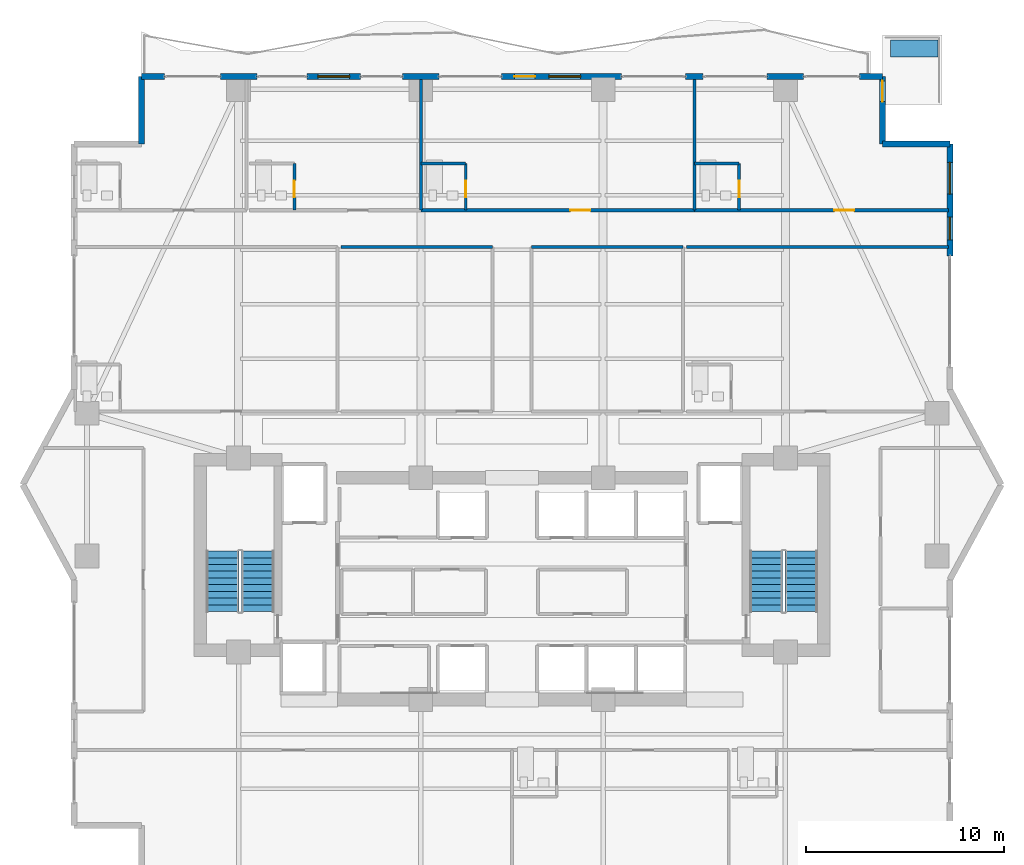
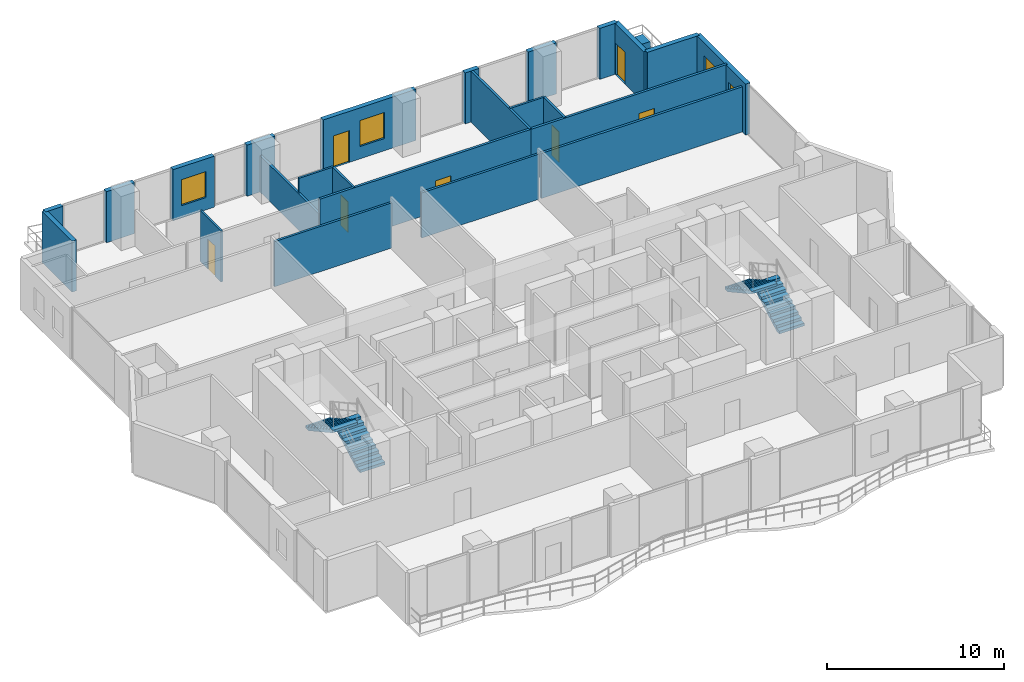
# One storey, part 28 of 32: 24 walls, 7 doors, 4 stair flights, 4 windows, 1 building element part, 11 openings, 2 elements without a shape of their own.
"""IFC4 building model written with IfcOpenShell, lengths in metres."""

from ifc_helpers import new_model, si_unit, direction, frame, frame_2d, origin, origin_2d, place, context, subcontext, project, spatial, polyline, rectangle, outline, extrude, material, layer, layer_set, type_object, element, fill, aggregate, save


model = new_model("IFC4")

# Units and contexts
model_context = context("Model", 3, precision=1e-05, world=origin(), true_north=direction((0.0, 1.0)))
body_context = subcontext(model_context, "Body", "Model", "MODEL_VIEW")
ifc_project = project(units=[si_unit("LENGTHUNIT", "METRE"), si_unit("AREAUNIT", "SQUARE_METRE"), si_unit("VOLUMEUNIT", "CUBIC_METRE"), si_unit("PLANEANGLEUNIT", "RADIAN"), si_unit("MASSUNIT", "GRAM", prefix="KILO")], contexts=[model_context])

# Site, building, storey
site_placement = place(None, origin())
site = spatial("IfcSite", under=ifc_project, at=site_placement, CompositionType="ELEMENT")
building_placement = place(site_placement, origin())
building = spatial("IfcBuilding", under=site, at=building_placement, Name="Zuhayl Quay Hotel", CompositionType="ELEMENT")
storey_placement = place(building_placement, frame((0.0, 0.0, 218.64990234375)))
storey = spatial("IfcBuildingStorey", under=building, at=storey_placement, Name="L55", CompositionType="ELEMENT", Elevation=218.64990234375)

# Walls
ifc_material_1 = material(Name="Precast concrete C45/55", Category="concrete")
ifc_layer_1 = layer(ifc_material_1, 0.300048828125, Name="Precast concrete C45/55", Category="concrete")
ifc_layer_set_1 = layer_set([ifc_layer_1], Name="Precast concrete C45/55")
wall_type_1 = type_object("IfcWallType", Name="WL_EXT_300", PredefinedType="STANDARD", material=ifc_layer_set_1)
wall_1_placement = place(storey_placement, frame((-18.699951171875, 30.199951171875, 0.0), z_axis=(0.0, 0.0, 1.0), x_axis=(0.0, 1.0, 0.0)))
element("IfcWall", 1, at=wall_1_placement, inside=storey, type_object=wall_type_1, Name="L55 Exterior Precast Wall ENV_L55_EW07", PredefinedType="STANDARD", context=body_context, shape_type="SweptSolid", body=[
    extrude(rectangle(XDim=3.400146484375, YDim=0.300048828125, at=frame_2d((1.7001953125, 0.0))), origin(), (0.0, 0.0, 1.0), 3.530029296875),
])
wall_2_placement = place(storey_placement, frame((-18.699951171875, 33.60009765625, 0.0), z_axis=(0.0, 0.0, 1.0), x_axis=(1.0, 0.0, 0.0)))
element("IfcWall", 2, at=wall_2_placement, inside=storey, type_object=wall_type_1, Name="L55 Exterior Precast Wall ENV_L55_N_EW1", PredefinedType="STANDARD", context=body_context, shape_type="SweptSolid", body=[
    extrude(rectangle(XDim=1.14990234375, YDim=0.300048828125, at=frame_2d((0.574951171875, 0.0))), origin(), (0.0, 0.0, 1.0), 3.530029296875),
])
wall_3_placement = place(storey_placement, frame((-14.719970703125, 33.60009765625, 0.0), z_axis=(0.0, 0.0, 1.0), x_axis=(1.0, 0.0, 0.0)))
element("IfcWall", 3, at=wall_3_placement, inside=storey, type_object=wall_type_1, Name="L55 Exterior Precast Wall ENV_L55_N_EW2", PredefinedType="STANDARD", context=body_context, shape_type="SweptSolid", body=[
    extrude(rectangle(XDim=1.840087890625, YDim=0.300048828125, at=frame_2d((0.919921875, 0.0))), origin(), (0.0, 0.0, 1.0), 3.530029296875),
])

# Wall, opening, window
wall_4_placement = place(storey_placement, frame((-10.35009765625, 33.60009765625, 0.0), z_axis=(0.0, 0.0, 1.0), x_axis=(1.0, 0.0, 0.0)))
wall_4 = element("IfcWall", 4, at=wall_4_placement, inside=storey, type_object=wall_type_1, Name="L55 Exterior Precast Wall ENV_L55_N_EW3", PredefinedType="STANDARD", context=body_context, shape_type="SweptSolid", body=[
    extrude(rectangle(XDim=2.7001953125, YDim=0.300048828125, at=frame_2d((1.35009765625, 0.0))), origin(), (0.0, 0.0, 1.0), 3.530029296875),
])
opening_1_placement = place(wall_4_placement, frame((0.550048828125, 0.0, 0.85009765625)))
opening_1 = element("IfcOpeningElement", 5, at=opening_1_placement, cuts=wall_4, Name="Opening W01", PredefinedType="OPENING", context=body_context, shape_type="SweptSolid", body=[
    extrude(rectangle(XDim=1.60009765625, YDim=1.800048828125, at=frame_2d((0.800048828125, 0.89990234375))), frame((0.0, 0.159912109375, 0.0), z_axis=(0.0, -1.0, 0.0), x_axis=(1.0, 0.0, 0.0)), (0.0, 0.0, 1.0), 0.320068359375),
])
ifc_material_2 = material(Name="Dark Ceramic-Fritted Solar Glass", Category="glass")
window_type_1 = type_object("IfcWindowType", Name="WN_OPERABLE_1600", PartitioningType="DOUBLE_PANEL_VERTICAL", PredefinedType="WINDOW", material=ifc_material_2)
window_1_placement = place(opening_1_placement, origin())
window_1 = element("IfcWindow", 6, at=window_1_placement, inside=storey, type_object=window_type_1, Name="L55 North Operable Casement Window", OverallHeight=1.800048828125, OverallWidth=1.60009765625, PartitioningType="SINGLE_PANEL", PredefinedType="WINDOW", context=body_context, shape_type="SweptSolid", body=[
    extrude(rectangle(XDim=1.60009765625, YDim=1.800048828125, at=frame_2d((0.800048828125, 0.89990234375))), frame((0.0, 0.030029296875, 0.0), z_axis=(0.0, -1.0, 0.0), x_axis=(1.0, 0.0, 0.0)), (0.0, 0.0, 1.0), 0.06005859375),
])
fill(opening_1, window_1)

# Wall
wall_5_placement = place(storey_placement, frame((-5.52001953125, 33.60009765625, 0.0), z_axis=(0.0, 0.0, 1.0), x_axis=(1.0, 0.0, 0.0)))
element("IfcWall", 7, at=wall_5_placement, inside=storey, type_object=wall_type_1, Name="L55 Exterior Precast Wall ENV_L55_N_EW4", PredefinedType="STANDARD", context=body_context, shape_type="SweptSolid", body=[
    extrude(rectangle(XDim=1.840087890625, YDim=0.300048828125, at=frame_2d((0.919921875, 0.0))), origin(), (0.0, 0.0, 1.0), 3.530029296875),
])

# Wall, openings, door, window
wall_6_placement = place(storey_placement, frame((-0.531005859375, 33.60009765625, 0.0), z_axis=(0.0, 0.0, 1.0), x_axis=(1.0, 0.0, 0.0)))
wall_6 = element("IfcWall", 8, at=wall_6_placement, inside=storey, type_object=wall_type_1, Name="L55 Exterior Precast Wall ENV_L55_N_EW5", PredefinedType="STANDARD", context=body_context, shape_type="SweptSolid", body=[
    extrude(rectangle(XDim=6.051025390625, YDim=0.300048828125, at=frame_2d((3.025390625, 0.0))), origin(), (0.0, 0.0, 1.0), 3.530029296875),
])
opening_2_placement = place(wall_6_placement, frame((0.64990234375, 0.0, 0.0)))
opening_2 = element("IfcOpeningElement", 9, at=opening_2_placement, cuts=wall_6, Name="Opening DG1", PredefinedType="OPENING", context=body_context, shape_type="SweptSolid", body=[
    extrude(rectangle(XDim=1.050048828125, YDim=2.199951171875, at=frame_2d((0.52490234375, 1.10009765625))), frame((0.0, 0.159912109375, 0.0), z_axis=(0.0, -1.0, 0.0), x_axis=(1.0, 0.0, 0.0)), (0.0, 0.0, 1.0), 0.320068359375),
])
opening_3_placement = place(wall_6_placement, frame((2.390380859375, 0.0, 0.85009765625)))
opening_3 = element("IfcOpeningElement", 10, at=opening_3_placement, cuts=wall_6, Name="Opening W01", PredefinedType="OPENING", context=body_context, shape_type="SweptSolid", body=[
    extrude(rectangle(XDim=1.60009765625, YDim=1.800048828125, at=frame_2d((0.800048828125, 0.89990234375))), frame((0.0, 0.159912109375, 0.0), z_axis=(0.0, -1.0, 0.0), x_axis=(1.0, 0.0, 0.0)), (0.0, 0.0, 1.0), 0.320068359375),
])
ifc_material_3 = material(Name="Anodised Aluminium and Dark Solar Glass", Category="aluminium")
door_type_1 = type_object("IfcDoorType", Name="DR_EXT_TERR_1050", OperationType="NOTDEFINED", PredefinedType="DOOR", material=ifc_material_3)
door_1_placement = place(opening_2_placement, origin())
door_1 = element("IfcDoor", 11, at=door_1_placement, inside=storey, type_object=door_type_1, Name="L55 North Rippling Balcony Door", OperationType="SINGLE_SWING_LEFT", OverallHeight=2.199951171875, OverallWidth=1.050048828125, PredefinedType="DOOR", context=body_context, shape_type="SweptSolid", body=[
    extrude(rectangle(XDim=1.050048828125, YDim=2.199951171875, at=frame_2d((0.52490234375, 1.10009765625))), frame((0.0, 0.02490234375, 0.0), z_axis=(0.0, -1.0, 0.0), x_axis=(1.0, 0.0, 0.0)), (0.0, 0.0, 1.0), 0.050048828125),
])
fill(opening_2, door_1)
window_2_placement = place(opening_3_placement, origin())
window_2 = element("IfcWindow", 12, at=window_2_placement, inside=storey, type_object=window_type_1, Name="L55 Operable Facade Window 5-1", OverallHeight=1.800048828125, OverallWidth=1.60009765625, PartitioningType="SINGLE_PANEL", PredefinedType="WINDOW", context=body_context, shape_type="SweptSolid", body=[
    extrude(rectangle(XDim=1.60009765625, YDim=1.800048828125, at=frame_2d((0.800048828125, 0.89990234375))), frame((0.0, 0.030029296875, 0.0), z_axis=(0.0, -1.0, 0.0), x_axis=(1.0, 0.0, 0.0)), (0.0, 0.0, 1.0), 0.06005859375),
])
fill(opening_3, window_2)

# Walls
wall_7_placement = place(storey_placement, frame((8.75, 33.60009765625, 0.0), z_axis=(0.0, 0.0, 1.0), x_axis=(1.0, 0.0, 0.0)))
element("IfcWall", 13, at=wall_7_placement, inside=storey, type_object=wall_type_1, Name="L55 Exterior Precast Wall ENV_L55_N_EW6", PredefinedType="STANDARD", context=body_context, shape_type="SweptSolid", body=[
    extrude(rectangle(XDim=0.89990234375, YDim=0.300048828125, at=frame_2d((0.449951171875, 0.0))), origin(), (0.0, 0.0, 1.0), 3.530029296875),
])
wall_8_placement = place(storey_placement, frame((12.8798828125, 33.60009765625, 0.0), z_axis=(0.0, 0.0, 1.0), x_axis=(1.0, 0.0, 0.0)))
element("IfcWall", 14, at=wall_8_placement, inside=storey, type_object=wall_type_1, Name="L55 Exterior Precast Wall ENV_L55_N_EW7", PredefinedType="STANDARD", context=body_context, shape_type="SweptSolid", body=[
    extrude(rectangle(XDim=1.840087890625, YDim=0.300048828125, at=frame_2d((0.919921875, 0.0))), origin(), (0.0, 0.0, 1.0), 3.530029296875),
])
wall_9_placement = place(storey_placement, frame((17.550048828125, 33.60009765625, 0.0), z_axis=(0.0, 0.0, 1.0), x_axis=(1.0, 0.0, 0.0)))
element("IfcWall", 15, at=wall_9_placement, inside=storey, type_object=wall_type_1, Name="L55 Exterior Precast Wall ENV_L55_N_EW8", PredefinedType="STANDARD", context=body_context, shape_type="SweptSolid", body=[
    extrude(rectangle(XDim=1.14990234375, YDim=0.300048828125, at=frame_2d((0.574951171875, 0.0))), origin(), (0.0, 0.0, 1.0), 3.530029296875),
])

# Wall, opening, door
wall_10_placement = place(storey_placement, frame((18.699951171875, 33.60009765625, 0.0), z_axis=(0.0, 0.0, 1.0), x_axis=(0.0, -1.0, 0.0)))
wall_10 = element("IfcWall", 16, at=wall_10_placement, inside=storey, type_object=wall_type_1, Name="L55 Exterior Precast Wall ENV_L55_SP_NE", PredefinedType="STANDARD", context=body_context, shape_type="SweptSolid", body=[
    extrude(rectangle(XDim=3.400146484375, YDim=0.300048828125, at=frame_2d((1.7001953125, 0.0))), origin(), (0.0, 0.0, 1.0), 3.530029296875),
])
opening_4_placement = place(wall_10_placement, frame((0.219970703125, 0.0, 0.0)))
opening_4 = element("IfcOpeningElement", 17, at=opening_4_placement, cuts=wall_10, Name="Opening DG1", PredefinedType="OPENING", context=body_context, shape_type="SweptSolid", body=[
    extrude(rectangle(XDim=1.050048828125, YDim=2.199951171875, at=frame_2d((0.52490234375, 1.10009765625))), frame((0.0, 0.159912109375, 0.0), z_axis=(0.0, -1.0, 0.0), x_axis=(1.0, 0.0, 0.0)), (0.0, 0.0, 1.0), 0.320068359375),
])
door_2_placement = place(opening_4_placement, origin())
door_2 = element("IfcDoor", 18, at=door_2_placement, inside=storey, type_object=door_type_1, Name="L55 Spiral Sky-Terrace NE Access Door", OperationType="SINGLE_SWING_LEFT", OverallHeight=2.199951171875, OverallWidth=1.050048828125, PredefinedType="DOOR", context=body_context, shape_type="SweptSolid", body=[
    extrude(rectangle(XDim=1.050048828125, YDim=2.199951171875, at=frame_2d((0.52490234375, 1.10009765625))), frame((0.0, 0.02490234375, 0.0), z_axis=(0.0, -1.0, 0.0), x_axis=(1.0, 0.0, 0.0)), (0.0, 0.0, 1.0), 0.050048828125),
])
fill(opening_4, door_2)

# Wall
wall_11_placement = place(storey_placement, frame((18.699951171875, 30.199951171875, 0.0), z_axis=(0.0, 0.0, 1.0), x_axis=(1.0, 0.0, 0.0)))
element("IfcWall", 19, at=wall_11_placement, inside=storey, type_object=wall_type_1, Name="L55 Exterior Precast Wall ENV_L55_EW10", PredefinedType="STANDARD", context=body_context, shape_type="SweptSolid", body=[
    extrude(rectangle(XDim=3.400146484375, YDim=0.300048828125, at=frame_2d((1.7001953125, 0.0))), origin(), (0.0, 0.0, 1.0), 3.530029296875),
])

# Wall, openings, windows
wall_12_placement = place(storey_placement, frame((22.10009765625, 30.199951171875, 0.0), z_axis=(0.0, 0.0, 1.0), x_axis=(0.0, -1.0, 0.0)))
wall_12 = element("IfcWall", 20, at=wall_12_placement, inside=storey, type_object=wall_type_1, Name="L55 Exterior Precast Wall ENV_L55_E11_EW1", PredefinedType="STANDARD", context=body_context, shape_type="SweptSolid", body=[
    extrude(rectangle(XDim=5.64990234375, YDim=0.300048828125, at=frame_2d((2.824951171875, 0.0))), origin(), (0.0, 0.0, 1.0), 3.530029296875),
])
opening_5_placement = place(wall_12_placement, frame((0.93505859375, 0.0, 0.85009765625)))
opening_5 = element("IfcOpeningElement", 21, at=opening_5_placement, cuts=wall_12, Name="Opening W01", PredefinedType="OPENING", context=body_context, shape_type="SweptSolid", body=[
    extrude(rectangle(XDim=1.60009765625, YDim=1.800048828125, at=frame_2d((0.800048828125, 0.89990234375))), frame((0.0, 0.159912109375, 0.0), z_axis=(0.0, -1.0, 0.0), x_axis=(1.0, 0.0, 0.0)), (0.0, 0.0, 1.0), 0.320068359375),
])
opening_6_placement = place(wall_12_placement, frame((3.699951171875, 0.0, 0.949951171875)))
opening_6 = element("IfcOpeningElement", 22, at=opening_6_placement, cuts=wall_12, Name="Opening W01N", PredefinedType="OPENING", context=body_context, shape_type="SweptSolid", body=[
    extrude(rectangle(XDim=1.14990234375, YDim=1.550048828125, at=frame_2d((0.574951171875, 0.77490234375))), frame((0.0, 0.159912109375, 0.0), z_axis=(0.0, -1.0, 0.0), x_axis=(1.0, 0.0, 0.0)), (0.0, 0.0, 1.0), 0.320068359375),
])
window_type_2 = type_object("IfcWindowType", Name="WN_NOTCH_1350", PartitioningType="SINGLE_PANEL", PredefinedType="WINDOW", material=ifc_material_2)
window_3_placement = place(opening_6_placement, origin())
window_3 = element("IfcWindow", 23, at=window_3_placement, inside=storey, type_object=window_type_2, Name="L55 Operable Facade Window 1-2", OverallHeight=1.550048828125, OverallWidth=1.14990234375, PartitioningType="SINGLE_PANEL", PredefinedType="WINDOW", context=body_context, shape_type="SweptSolid", body=[
    extrude(rectangle(XDim=1.14990234375, YDim=1.550048828125, at=frame_2d((0.574951171875, 0.77490234375))), frame((0.0, 0.030029296875, 0.0), z_axis=(0.0, -1.0, 0.0), x_axis=(1.0, 0.0, 0.0)), (0.0, 0.0, 1.0), 0.06005859375),
])
fill(opening_6, window_3)
window_4_placement = place(opening_5_placement, origin())
window_4 = element("IfcWindow", 24, at=window_4_placement, inside=storey, type_object=window_type_1, Name="L55 Operable Facade Window 1-1", OverallHeight=1.800048828125, OverallWidth=1.60009765625, PartitioningType="SINGLE_PANEL", PredefinedType="WINDOW", context=body_context, shape_type="SweptSolid", body=[
    extrude(rectangle(XDim=1.60009765625, YDim=1.800048828125, at=frame_2d((0.800048828125, 0.89990234375))), frame((0.0, 0.030029296875, 0.0), z_axis=(0.0, -1.0, 0.0), x_axis=(1.0, 0.0, 0.0)), (0.0, 0.0, 1.0), 0.06005859375),
])
fill(opening_5, window_4)

# Walls
ifc_material_4 = material(Name="Acoustic Gypsum Partition STC-58")
ifc_layer_2 = layer(ifc_material_4, 0.14990234375, Name="Acoustic Gypsum Partition STC-58")
ifc_layer_set_2 = layer_set([ifc_layer_2], Name="Acoustic Gypsum Partition STC-58")
wall_type_2 = type_object("IfcWallType", Name="WL_PART_150", PredefinedType="PARTITIONING", material=ifc_layer_set_2)
wall_13_placement = place(storey_placement, frame((-4.60009765625, 26.85009765625, 0.0), z_axis=(0.0, 0.0, 1.0), x_axis=(0.0, 1.0, 0.0)))
element("IfcWall", 25, at=wall_13_placement, inside=storey, type_object=wall_type_2, Name="L55 Partition IW_L55_NU01B_E", PredefinedType="PARTITIONING", context=body_context, shape_type="SweptSolid", body=[
    extrude(rectangle(XDim=6.669921875, YDim=0.14990234375, at=frame_2d((3.3349609375, 0.0))), origin(), (0.0, 0.0, 1.0), 2.51904296875),
])
wall_14_placement = place(storey_placement, frame((9.199951171875, 26.85009765625, 0.0), z_axis=(0.0, 0.0, 1.0), x_axis=(0.0, 1.0, 0.0)))
element("IfcWall", 26, at=wall_14_placement, inside=storey, type_object=wall_type_2, Name="L55 Partition IW_L55_NU02_E", PredefinedType="PARTITIONING", context=body_context, shape_type="SweptSolid", body=[
    extrude(rectangle(XDim=6.669921875, YDim=0.14990234375, at=frame_2d((3.3349609375, 0.0))), origin(), (0.0, 0.0, 1.0), 3.530029296875),
])
for number, where, z_axis, x_axis, name in (
    (27, (-8.639892578125, 25.0, 0.0), (0.0, 0.0, 1.0), (1.0, 0.0, 0.0), "L55 Partition IW_L55_Z3_MID_W_N"),
    (28, (0.97998046875, 25.0, 0.0), (0.0, 0.0, 1.0), (1.0, 0.0, 0.0), "L55 Partition IW_L55_Z3_MID_E_N"),
):
    element("IfcWall", number, at=place(storey_placement, frame(where, z_axis=z_axis, x_axis=x_axis)), inside=storey, type_object=wall_type_2, Name=name, PredefinedType="PARTITIONING", context=body_context, shape_type="SweptSolid", body=[
        extrude(rectangle(XDim=7.659912109375, YDim=0.14990234375, at=frame_2d((3.830078125, 0.0))), origin(), (0.0, 0.0, 1.0), 3.1240234375),
    ])

# Wall, opening, door
ifc_layer_3 = layer(ifc_material_4, 0.159912109375, Name="Acoustic Gypsum Partition STC-58")
ifc_layer_set_3 = layer_set([ifc_layer_3], Name="Acoustic Gypsum Partition STC-58")
wall_type_3 = type_object("IfcWallType", Name="WL_PART_CORR_160", PredefinedType="PARTITIONING", material=ifc_layer_set_3)
wall_15_placement = place(storey_placement, frame((-4.60009765625, 26.85009765625, 0.0), z_axis=(0.0, 0.0, 1.0), x_axis=(1.0, 0.0, 0.0)))
wall_15 = element("IfcWall", 29, at=wall_15_placement, inside=storey, type_object=wall_type_3, Name="L55 Partition IW_L55_NU02_COR", PredefinedType="PARTITIONING", context=body_context, shape_type="SweptSolid", body=[
    extrude(rectangle(XDim=13.800048828125, YDim=0.159912109375, at=frame_2d((6.89990234375, 0.0))), origin(), (0.0, 0.0, 1.0), 3.530029296875),
])
opening_7_placement = place(wall_15_placement, frame((7.550048828125, 0.0, 0.0)))
opening_7 = element("IfcOpeningElement", 30, at=opening_7_placement, cuts=wall_15, Name="Opening D03L", PredefinedType="OPENING", context=body_context, shape_type="SweptSolid", body=[
    extrude(rectangle(XDim=1.0, YDim=2.14990234375, at=frame_2d((0.5, 1.074951171875))), frame((0.0, 0.08984375, 0.0), z_axis=(0.0, -1.0, 0.0), x_axis=(1.0, 0.0, 0.0)), (0.0, 0.0, 1.0), 0.179931640625),
])
ifc_material_5 = material(Name="Solid Walnut Acoustic Fire Door")
door_type_2 = type_object("IfcDoorType", Name="DR_SUITE_1000", OperationType="NOTDEFINED", PredefinedType="DOOR", material=ifc_material_5)
door_3_placement = place(opening_7_placement, origin())
door_3 = element("IfcDoor", 31, at=door_3_placement, inside=storey, type_object=door_type_2, Name="L55 Panoramic Gulf Suite L55-02 Entrance Door", OperationType="SINGLE_SWING_LEFT", OverallHeight=2.14990234375, OverallWidth=1.0, PredefinedType="DOOR", context=body_context, shape_type="SweptSolid", body=[
    extrude(rectangle(XDim=1.0, YDim=2.14990234375, at=frame_2d((0.5, 1.074951171875))), frame((0.0, 0.02490234375, 0.0), z_axis=(0.0, -1.0, 0.0), x_axis=(1.0, 0.0, 0.0)), (0.0, 0.0, 1.0), 0.050048828125),
])
fill(opening_7, door_3)

wall_16_placement = place(storey_placement, frame((9.199951171875, 26.85009765625, 0.0), z_axis=(0.0, 0.0, 1.0), x_axis=(1.0, 0.0, 0.0)))
wall_16 = element("IfcWall", 32, at=wall_16_placement, inside=storey, type_object=wall_type_3, Name="L55 Partition IW_L55_NU03_COR", PredefinedType="PARTITIONING", context=body_context, shape_type="SweptSolid", body=[
    extrude(rectangle(XDim=12.840087890625, YDim=0.159912109375, at=frame_2d((6.419921875, 0.0))), origin(), (0.0, 0.0, 1.0), 3.530029296875),
])
opening_8_placement = place(wall_16_placement, frame((7.070068359375, 0.0, 0.0)))
opening_8 = element("IfcOpeningElement", 33, at=opening_8_placement, cuts=wall_16, Name="Opening D03L", PredefinedType="OPENING", context=body_context, shape_type="SweptSolid", body=[
    extrude(rectangle(XDim=1.0, YDim=2.14990234375, at=frame_2d((0.5, 1.074951171875))), frame((0.0, 0.08984375, 0.0), z_axis=(0.0, -1.0, 0.0), x_axis=(1.0, 0.0, 0.0)), (0.0, 0.0, 1.0), 0.179931640625),
])
door_4_placement = place(opening_8_placement, origin())
door_4 = element("IfcDoor", 34, at=door_4_placement, inside=storey, type_object=door_type_2, Name="L55 Panoramic Gulf Suite L55-03 Entrance Door", OperationType="SINGLE_SWING_LEFT", OverallHeight=2.14990234375, OverallWidth=1.0, PredefinedType="DOOR", context=body_context, shape_type="SweptSolid", body=[
    extrude(rectangle(XDim=1.0, YDim=2.14990234375, at=frame_2d((0.5, 1.074951171875))), frame((0.0, 0.02490234375, 0.0), z_axis=(0.0, -1.0, 0.0), x_axis=(1.0, 0.0, 0.0)), (0.0, 0.0, 1.0), 0.050048828125),
])
fill(opening_8, door_4)

# Wall
wall_17_placement = place(storey_placement, frame((8.800048828125, 25.0, 0.0), z_axis=(0.0, 0.0, 1.0), x_axis=(1.0, 0.0, 0.0)))
element("IfcWall", 35, at=wall_17_placement, inside=storey, type_object=wall_type_3, Name="L55 Partition IW_L55_MU04_BK", PredefinedType="PARTITIONING", context=body_context, shape_type="SweptSolid", body=[
    extrude(rectangle(XDim=13.239990234375, YDim=0.159912109375, at=frame_2d((6.6201171875, 0.0))), origin(), (0.0, 0.0, 1.0), 3.1240234375),
])

# Wall, opening, door
ifc_material_6 = material(Name="Moisture-Resistant Sanitarychase Gypsum")
ifc_layer_4 = layer(ifc_material_6, 0.135009765625, Name="Moisture-Resistant Sanitarychase Gypsum")
ifc_layer_set_4 = layer_set([ifc_layer_4], Name="Moisture-Resistant Sanitarychase Gypsum")
wall_type_4 = type_object("IfcWallType", Name="WL_PART_PLUMB_150", PredefinedType="PLUMBINGWALL", material=ifc_layer_set_4)
wall_18_placement = place(storey_placement, frame((-10.97998046875, 26.85009765625, 0.0), z_axis=(0.0, 0.0, 1.0), x_axis=(0.0, 1.0, 0.0)))
wall_18 = element("IfcWall", 36, at=wall_18_placement, inside=storey, type_object=wall_type_4, Name="L55 Partition IW_L55_NU01B_BE", PredefinedType="PLUMBINGWALL", context=body_context, shape_type="SweptSolid", body=[
    extrude(rectangle(XDim=2.35986328125, YDim=0.135009765625, at=frame_2d((1.179931640625, 0.0))), origin(), (0.0, 0.0, 1.0), 3.530029296875),
])
opening_9_placement = place(wall_18_placement, frame((0.64990234375, 0.0, 0.0)))
opening_9 = element("IfcOpeningElement", 37, at=opening_9_placement, cuts=wall_18, Name="Opening D04", PredefinedType="OPENING", context=body_context, shape_type="SweptSolid", body=[
    extrude(rectangle(XDim=0.85009765625, YDim=2.10009765625, at=frame_2d((0.425048828125, 1.050048828125))), frame((0.0, 0.077392578125, 0.0), z_axis=(0.0, -1.0, 0.0), x_axis=(1.0, 0.0, 0.0)), (0.0, 0.0, 1.0), 0.155029296875),
])
ifc_material_7 = material(Name="Moisture-Resistant Walnut Veneer")
door_type_3 = type_object("IfcDoorType", Name="DR_BATH_850", OperationType="NOTDEFINED", PredefinedType="DOOR", material=ifc_material_7)
door_5_placement = place(opening_9_placement, origin())
door_5 = element("IfcDoor", 38, at=door_5_placement, inside=storey, type_object=door_type_3, Name="L55 Panoramic Gulf Suite L55-01B En-Suite Door", OperationType="SINGLE_SWING_RIGHT", OverallHeight=2.10009765625, OverallWidth=0.85009765625, PredefinedType="DOOR", context=body_context, shape_type="SweptSolid", body=[
    extrude(rectangle(XDim=0.85009765625, YDim=2.10009765625, at=frame_2d((0.425048828125, 1.050048828125))), frame((0.0, 0.02490234375, 0.0), z_axis=(0.0, -1.0, 0.0), x_axis=(1.0, 0.0, 0.0)), (0.0, 0.0, 1.0), 0.050048828125),
])
fill(opening_9, door_5)

wall_19_placement = place(storey_placement, frame((-2.340087890625, 26.85009765625, 0.0), z_axis=(0.0, 0.0, 1.0), x_axis=(0.0, 1.0, 0.0)))
wall_19 = element("IfcWall", 39, at=wall_19_placement, inside=storey, type_object=wall_type_4, Name="L55 Partition IW_L55_NU02_BE", PredefinedType="PLUMBINGWALL", context=body_context, shape_type="SweptSolid", body=[
    extrude(rectangle(XDim=2.35986328125, YDim=0.135009765625, at=frame_2d((1.179931640625, 0.0))), origin(), (0.0, 0.0, 1.0), 3.530029296875),
])
opening_10_placement = place(wall_19_placement, frame((0.64990234375, 0.0, 0.0)))
opening_10 = element("IfcOpeningElement", 40, at=opening_10_placement, cuts=wall_19, Name="Opening D04", PredefinedType="OPENING", context=body_context, shape_type="SweptSolid", body=[
    extrude(rectangle(XDim=0.85009765625, YDim=2.10009765625, at=frame_2d((0.425048828125, 1.050048828125))), frame((0.0, 0.077392578125, 0.0), z_axis=(0.0, -1.0, 0.0), x_axis=(1.0, 0.0, 0.0)), (0.0, 0.0, 1.0), 0.155029296875),
])
door_6_placement = place(opening_10_placement, origin())
door_6 = element("IfcDoor", 41, at=door_6_placement, inside=storey, type_object=door_type_3, Name="L55 Panoramic Gulf Suite L55-02 En-Suite Door", OperationType="SINGLE_SWING_RIGHT", OverallHeight=2.10009765625, OverallWidth=0.85009765625, PredefinedType="DOOR", context=body_context, shape_type="SweptSolid", body=[
    extrude(rectangle(XDim=0.85009765625, YDim=2.10009765625, at=frame_2d((0.425048828125, 1.050048828125))), frame((0.0, 0.02490234375, 0.0), z_axis=(0.0, -1.0, 0.0), x_axis=(1.0, 0.0, 0.0)), (0.0, 0.0, 1.0), 0.050048828125),
])
fill(opening_10, door_6)

wall_20_placement = place(storey_placement, frame((11.4599609375, 26.85009765625, 0.0), z_axis=(0.0, 0.0, 1.0), x_axis=(0.0, 1.0, 0.0)))
wall_20 = element("IfcWall", 42, at=wall_20_placement, inside=storey, type_object=wall_type_4, Name="L55 Partition IW_L55_NU03_BE", PredefinedType="PLUMBINGWALL", context=body_context, shape_type="SweptSolid", body=[
    extrude(rectangle(XDim=2.35986328125, YDim=0.135009765625, at=frame_2d((1.179931640625, 0.0))), origin(), (0.0, 0.0, 1.0), 3.530029296875),
])
opening_11_placement = place(wall_20_placement, frame((0.64990234375, 0.0, 0.0)))
opening_11 = element("IfcOpeningElement", 43, at=opening_11_placement, cuts=wall_20, Name="Opening D04", PredefinedType="OPENING", context=body_context, shape_type="SweptSolid", body=[
    extrude(rectangle(XDim=0.85009765625, YDim=2.10009765625, at=frame_2d((0.425048828125, 1.050048828125))), frame((0.0, 0.077392578125, 0.0), z_axis=(0.0, -1.0, 0.0), x_axis=(1.0, 0.0, 0.0)), (0.0, 0.0, 1.0), 0.155029296875),
])
door_7_placement = place(opening_11_placement, origin())
door_7 = element("IfcDoor", 44, at=door_7_placement, inside=storey, type_object=door_type_3, Name="L55 Panoramic Gulf Suite L55-03 En-Suite Door", OperationType="SINGLE_SWING_RIGHT", OverallHeight=2.10009765625, OverallWidth=0.85009765625, PredefinedType="DOOR", context=body_context, shape_type="SweptSolid", body=[
    extrude(rectangle(XDim=0.85009765625, YDim=2.10009765625, at=frame_2d((0.425048828125, 1.050048828125))), frame((0.0, 0.02490234375, 0.0), z_axis=(0.0, -1.0, 0.0), x_axis=(1.0, 0.0, 0.0)), (0.0, 0.0, 1.0), 0.050048828125),
])
fill(opening_11, door_7)

# Walls
for number, where, z_axis, x_axis, name in (
    (45, (-4.60009765625, 29.2099609375, 0.0), (0.0, 0.0, 1.0), (1.0, 0.0, 0.0), "L55 Partition IW_L55_NU02_BN"),
    (46, (9.199951171875, 29.2099609375, 0.0), (0.0, 0.0, 1.0), (1.0, 0.0, 0.0), "L55 Partition IW_L55_NU03_BN"),
):
    element("IfcWall", number, at=place(storey_placement, frame(where, z_axis=z_axis, x_axis=x_axis)), inside=storey, type_object=wall_type_4, Name=name, PredefinedType="PLUMBINGWALL", context=body_context, shape_type="SweptSolid", body=[
        extrude(rectangle(XDim=2.260009765625, YDim=0.135009765625, at=frame_2d((1.1298828125, 0.0))), origin(), (0.0, 0.0, 1.0), 3.530029296875),
    ])

# Stair, stair flights
ifc_material_8 = material(Name="Concrete C45/55", Category="concrete")
stair_type = type_object("IfcStairType", Name="ST_DOGLEG_TOWER", PredefinedType="HALF_TURN_STAIR", material=ifc_material_8)
stair_1_placement = place(storey_placement, origin())
stair_1 = element("IfcStair", 47, at=stair_1_placement, inside=storey, type_object=stair_type, Name="L55 Smokeproof Exit Stair ST1", PredefinedType="HALF_TURN_STAIR")
ifc_layer_5 = layer(ifc_material_8, 0.159912109375, Name="Concrete C45/55", Category="concrete")
ifc_layer_set_5 = layer_set([ifc_layer_5], Name="Concrete C45/55")
stair_flight_type = type_object("IfcStairFlightType", Name="SF_CONC_164", PredefinedType="STRAIGHT", material=ifc_layer_set_5)
stair_flight_1_placement = place(storey_placement, frame((-12.820068359375, 6.590087890625, 0.0), z_axis=(0.0, 0.0, 1.0), x_axis=(0.0, 1.0, 0.0)))
stair_flight_1 = element("IfcStairFlight", 48, at=stair_flight_1_placement, type_object=stair_flight_type, Name="ST1 flight 1", NumberOfRisers=10, NumberOfTreads=9, PredefinedType="STRAIGHT", RiserHeight=0.1875, TreadLength=0.34, context=body_context, shape_type="SweptSolid", body=[
    extrude(outline(polyline([(0.0, 0.0), (0.0, 0.1875), (0.340087890625, 0.1875), (0.340087890625, 0.375), (0.679931640625, 0.375), (0.679931640625, 0.5625), (1.02001953125, 0.5625), (1.02001953125, 0.75), (1.360107421875, 0.75), (1.360107421875, 0.9375), (1.699951171875, 0.9375), (1.699951171875, 1.125), (2.0400390625, 1.125), (2.0400390625, 1.3125), (2.3798828125, 1.3125), (2.3798828125, 1.5), (2.719970703125, 1.5), (2.719970703125, 1.6875), (3.06005859375, 1.6875), (3.06005859375, 1.875), (3.06005859375, 1.516357421875), (0.310302734375, 0.0), (0.0, 0.0)])), frame((0.0, 0.81982421875, 0.0), z_axis=(0.0, -1.0, 0.0), x_axis=(1.0, 0.0, 0.0)), (0.0, 0.0, 1.0), 1.639892578125),
])
stair_flight_2_placement = place(storey_placement, frame((-14.610107421875, 9.64990234375, 1.875), z_axis=(0.0, 0.0, 1.0), x_axis=(0.0, -1.0, 0.0)))
stair_flight_2 = element("IfcStairFlight", 49, at=stair_flight_2_placement, type_object=stair_flight_type, Name="ST1 flight 2", NumberOfRisers=10, NumberOfTreads=9, PredefinedType="STRAIGHT", RiserHeight=0.1875, TreadLength=0.34, context=body_context, shape_type="SweptSolid", body=[
    extrude(outline(polyline([(0.0, 0.0), (0.0, 0.1875), (0.340087890625, 0.1875), (0.340087890625, 0.375), (0.679931640625, 0.375), (0.679931640625, 0.5625), (1.02001953125, 0.5625), (1.02001953125, 0.75), (1.360107421875, 0.75), (1.360107421875, 0.9375), (1.699951171875, 0.9375), (1.699951171875, 1.125), (2.0400390625, 1.125), (2.0400390625, 1.3125), (2.3798828125, 1.3125), (2.3798828125, 1.5), (2.719970703125, 1.5), (2.719970703125, 1.6875), (3.06005859375, 1.6875), (3.06005859375, 1.875), (3.06005859375, 1.516357421875), (0.310302734375, 0.0), (0.0, 0.0)])), frame((0.0, 0.81982421875, 0.0), z_axis=(0.0, -1.0, 0.0), x_axis=(1.0, 0.0, 0.0)), (0.0, 0.0, 1.0), 1.639892578125),
])
aggregate(stair_1, [stair_flight_1, stair_flight_2])

stair_2_placement = place(storey_placement, origin())
stair_2 = element("IfcStair", 50, at=stair_2_placement, inside=storey, type_object=stair_type, Name="L55 Smokeproof Exit Stair ST2", PredefinedType="HALF_TURN_STAIR")
stair_flight_3_placement = place(storey_placement, frame((14.610107421875, 6.590087890625, 0.0), z_axis=(0.0, 0.0, 1.0), x_axis=(0.0, 1.0, 0.0)))
stair_flight_3 = element("IfcStairFlight", 51, at=stair_flight_3_placement, type_object=stair_flight_type, Name="ST2 flight 1", NumberOfRisers=10, NumberOfTreads=9, PredefinedType="STRAIGHT", RiserHeight=0.1875, TreadLength=0.34, context=body_context, shape_type="SweptSolid", body=[
    extrude(outline(polyline([(0.0, 0.0), (0.0, 0.1875), (0.340087890625, 0.1875), (0.340087890625, 0.375), (0.679931640625, 0.375), (0.679931640625, 0.5625), (1.02001953125, 0.5625), (1.02001953125, 0.75), (1.360107421875, 0.75), (1.360107421875, 0.9375), (1.699951171875, 0.9375), (1.699951171875, 1.125), (2.0400390625, 1.125), (2.0400390625, 1.3125), (2.3798828125, 1.3125), (2.3798828125, 1.5), (2.719970703125, 1.5), (2.719970703125, 1.6875), (3.06005859375, 1.6875), (3.06005859375, 1.875), (3.06005859375, 1.516357421875), (0.310302734375, 0.0), (0.0, 0.0)])), frame((0.0, 0.81982421875, 0.0), z_axis=(0.0, -1.0, 0.0), x_axis=(1.0, 0.0, 0.0)), (0.0, 0.0, 1.0), 1.639892578125),
])
stair_flight_4_placement = place(storey_placement, frame((12.820068359375, 9.64990234375, 1.875), z_axis=(0.0, 0.0, 1.0), x_axis=(0.0, -1.0, 0.0)))
stair_flight_4 = element("IfcStairFlight", 52, at=stair_flight_4_placement, type_object=stair_flight_type, Name="ST2 flight 2", NumberOfRisers=10, NumberOfTreads=9, PredefinedType="STRAIGHT", RiserHeight=0.1875, TreadLength=0.34, context=body_context, shape_type="SweptSolid", body=[
    extrude(outline(polyline([(0.0, 0.0), (0.0, 0.1875), (0.340087890625, 0.1875), (0.340087890625, 0.375), (0.679931640625, 0.375), (0.679931640625, 0.5625), (1.02001953125, 0.5625), (1.02001953125, 0.75), (1.360107421875, 0.75), (1.360107421875, 0.9375), (1.699951171875, 0.9375), (1.699951171875, 1.125), (2.0400390625, 1.125), (2.0400390625, 1.3125), (2.3798828125, 1.3125), (2.3798828125, 1.5), (2.719970703125, 1.5), (2.719970703125, 1.6875), (3.06005859375, 1.6875), (3.06005859375, 1.875), (3.06005859375, 1.516357421875), (0.310302734375, 0.0), (0.0, 0.0)])), frame((0.0, 0.81982421875, 0.0), z_axis=(0.0, -1.0, 0.0), x_axis=(1.0, 0.0, 0.0)), (0.0, 0.0, 1.0), 1.639892578125),
])
aggregate(stair_2, [stair_flight_3, stair_flight_4])

# Building element part
ifc_layer_6 = layer(ifc_material_1, 0.550048828125, Name="Precast concrete C45/55", Category="concrete")
ifc_layer_set_6 = layer_set([ifc_layer_6], Name="Precast concrete C45/55")
building_element_part_type = type_object("IfcBuildingElementPartType", Name="PT_PLANTER_KERB", PredefinedType="PRECASTPANEL", material=ifc_layer_set_6)
building_element_part_placement = place(storey_placement, frame((20.31005859375, 35.010009765625, 0.0), z_axis=(0.0, 0.0, 1.0), x_axis=(1.0, 0.0, 0.0)))
element("IfcBuildingElementPart", 53, at=building_element_part_placement, inside=storey, type_object=building_element_part_type, Name="L55 Spiral Sky-Terrace Planter Box NE", PredefinedType="PRECASTPANEL", context=body_context, shape_type="SweptSolid", body=[
    extrude(rectangle(XDim=2.39990234375, YDim=0.85009765625, at=origin_2d()), origin(), (0.0, 0.0, 1.0), 0.550048828125),
])

save(model, "model.ifc")
